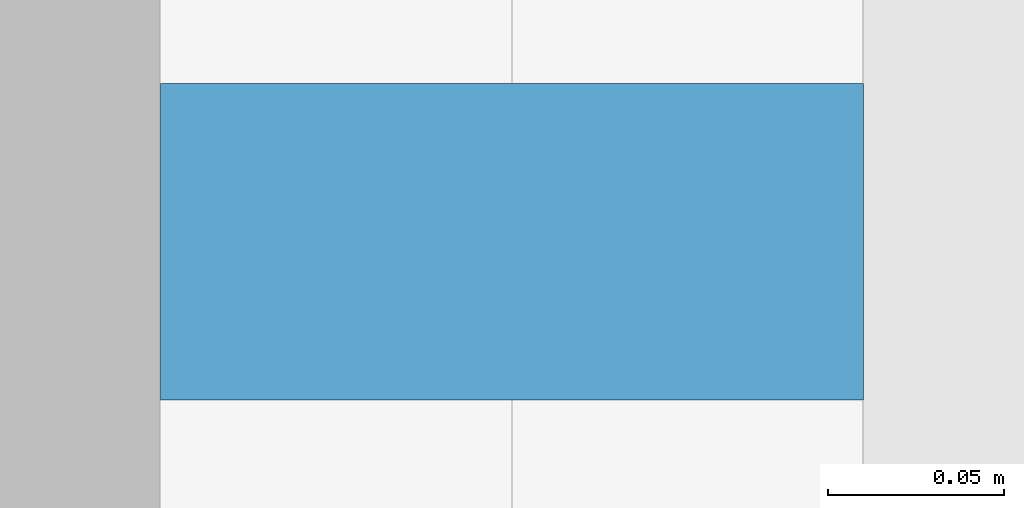
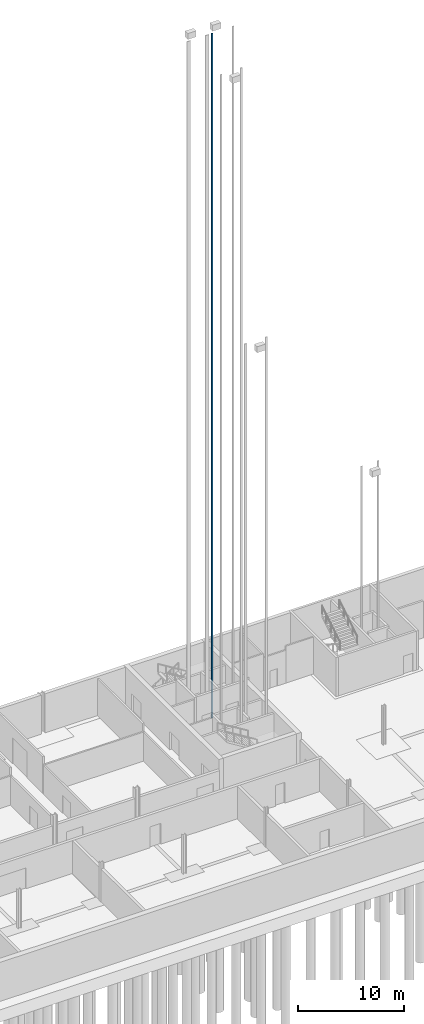
# One storey, part 32 of 41: 1 discrete accessory.
"""IFC4 building model written with IfcOpenShell, lengths in metres."""

from ifc_helpers import new_model, si_unit, direction, frame, origin, origin_2d, place, context, subcontext, project, spatial, rectangle, extrude, material, type_object, element, save


model = new_model("IFC4")

# Units and contexts
model_context = context("Model", 3, precision=1e-05, world=origin(), true_north=direction((0.0, 1.0)))
body_context = subcontext(model_context, "Body", "Model", "MODEL_VIEW")
ifc_project = project(units=[si_unit("LENGTHUNIT", "METRE"), si_unit("AREAUNIT", "SQUARE_METRE"), si_unit("VOLUMEUNIT", "CUBIC_METRE"), si_unit("PLANEANGLEUNIT", "RADIAN"), si_unit("MASSUNIT", "GRAM", prefix="KILO")], contexts=[model_context])

# Site, building, storey
site_placement = place(None, origin())
site = spatial("IfcSite", under=ifc_project, at=site_placement, CompositionType="ELEMENT")
building_placement = place(site_placement, origin())
building = spatial("IfcBuilding", under=site, at=building_placement, Name="Corbel Yard City Hall", CompositionType="ELEMENT")
storey_placement = place(building_placement, frame((0.0, 0.0, -4.5)))
storey = spatial("IfcBuildingStorey", under=building, at=storey_placement, Name="B1", CompositionType="ELEMENT", Elevation=-4.5)

# Discrete accessory
ifc_material = material(Name="Steel Grade G250", Category="steel")
discrete_accessory_type = type_object("IfcDiscreteAccessoryType", Name="LR1", PredefinedType="USERDEFINED", material=ifc_material)
discrete_accessory_placement = place(storey_placement, frame((51.10009765625, 110.85009765625, 0.0), z_axis=(0.0, 0.0, 1.0), x_axis=(1.0, 0.0, 0.0)))
element("IfcDiscreteAccessory", 1, at=discrete_accessory_placement, inside=storey, type_object=discrete_accessory_type, Name="Lift LG1 guide rail 1", ObjectType="GUIDE RAIL", PredefinedType="USERDEFINED", context=body_context, shape_type="SweptSolid", body=[
    extrude(rectangle(XDim=0.199951171875, YDim=0.090087890625, at=origin_2d()), origin(), (0.0, 0.0, 1.0), 79.0),
])

save(model, "model.ifc")
